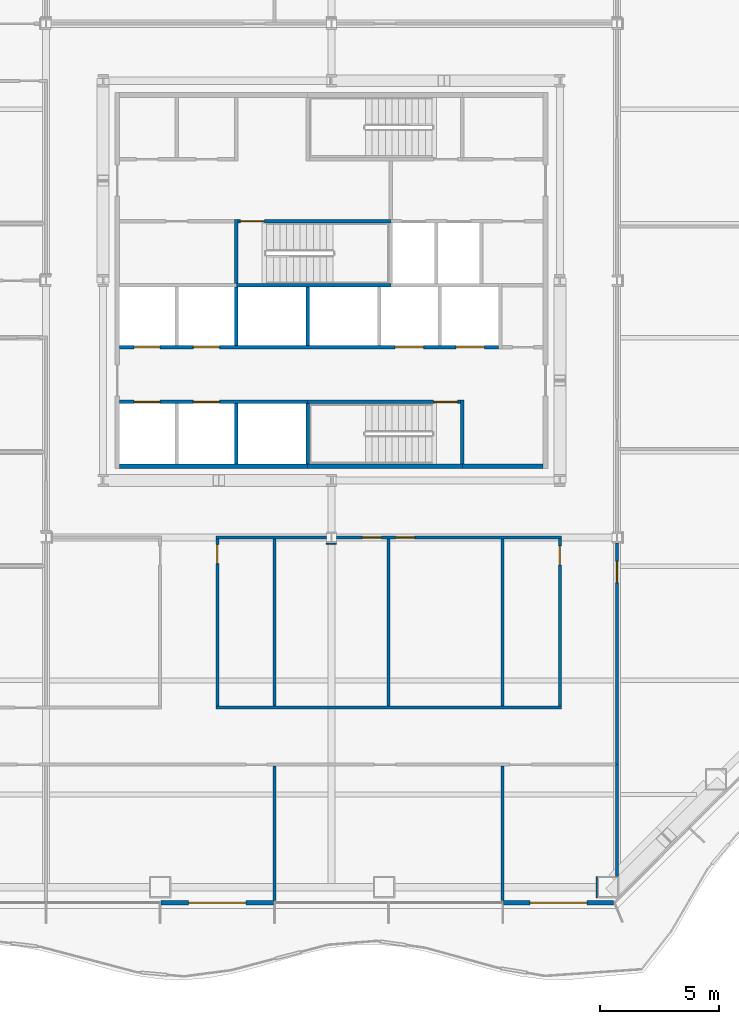
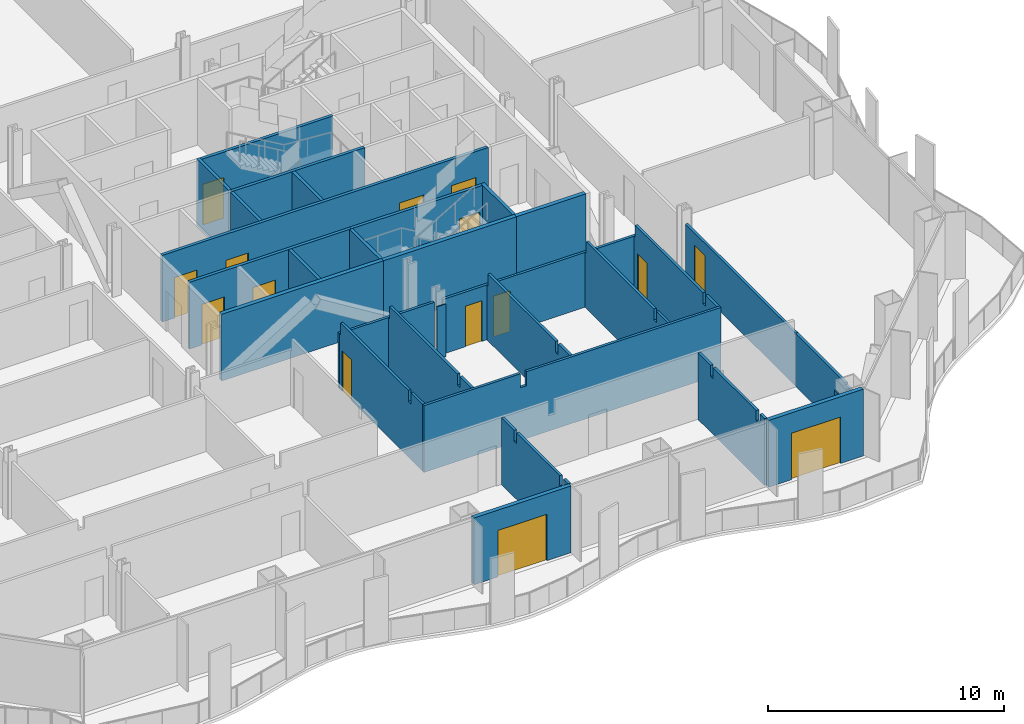
# One storey, part 8 of 18: 30 walls, 15 doors, 15 openings.
"""IFC4 building model written with IfcOpenShell, lengths in metres."""

from ifc_helpers import new_model, si_unit, direction, frame, frame_2d, origin, place, context, subcontext, project, spatial, polyline, rectangle, outline, extrude, material, layer, layer_set, type_object, element, fill, save


model = new_model("IFC4")

# Units and contexts
model_context = context("Model", 3, precision=1e-05, world=origin(), true_north=direction((0.0, 1.0)))
body_context = subcontext(model_context, "Body", "Model", "MODEL_VIEW")
ifc_project = project(units=[si_unit("LENGTHUNIT", "METRE"), si_unit("AREAUNIT", "SQUARE_METRE"), si_unit("VOLUMEUNIT", "CUBIC_METRE"), si_unit("PLANEANGLEUNIT", "RADIAN"), si_unit("MASSUNIT", "GRAM", prefix="KILO")], contexts=[model_context])

# Site, building, storey
site_placement = place(None, origin())
site = spatial("IfcSite", under=ifc_project, at=site_placement, CompositionType="ELEMENT")
building_placement = place(site_placement, origin())
building = spatial("IfcBuilding", under=site, at=building_placement, Name="Cairn Pilgrim Tower", CompositionType="ELEMENT")
storey_placement = place(building_placement, frame((0.0, 0.0, 72.60009765625)))
storey = spatial("IfcBuildingStorey", under=building, at=storey_placement, Name="L16", CompositionType="ELEMENT", Elevation=72.60009765625)

# Wall, opening, door
ifc_material_1 = material(Name="Bronze anodised aluminium insulated sandwich panel with mineral wool fill", Category="aluminium")
ifc_layer_1 = layer(ifc_material_1, 0.199951171875)
ifc_layer_set_1 = layer_set([ifc_layer_1], Name="BRONZE INFILL FRAME WALL 200")
wall_type_1 = type_object("IfcWallType", Name="BRONZE INFILL FRAME WALL 200", PredefinedType="NOTDEFINED", material=ifc_layer_set_1)
wall_1_placement = place(storey_placement, frame((0.030029296875, -23.75, 0.0), z_axis=(0.0, 0.0, 1.0), x_axis=(1.0, 0.0, 0.0)))
wall_1 = element("IfcWall", 1, at=wall_1_placement, inside=storey, type_object=wall_type_1, Name="Bronze infill frame wall IW-S5", PredefinedType="NOTDEFINED", context=body_context, shape_type="SweptSolid", body=[
    extrude(rectangle(XDim=4.739990234375, YDim=0.199951171875, at=frame_2d((2.3701171875, 0.0))), origin(), (0.0, 0.0, 1.0), 3.449951171875),
])
opening_1_placement = place(wall_1_placement, frame((1.169921875, 0.0, 0.0)))
opening_1 = element("IfcOpeningElement", 2, at=opening_1_placement, cuts=wall_1, Name="Opening 1603B", PredefinedType="OPENING", context=body_context, shape_type="SweptSolid", body=[
    extrude(rectangle(XDim=2.39990234375, YDim=2.39990234375, at=frame_2d((1.199951171875, 1.199951171875))), frame((0.0, 0.10986328125, 0.0), z_axis=(0.0, -1.0, 0.0), x_axis=(1.0, 0.0, 0.0)), (0.0, 0.0, 1.0), 0.219970703125),
])
ifc_material_2 = material(Name="Bronze anodised aluminium frame with tinted low-E glass", Category="aluminium")
door_type_1 = type_object("IfcDoorType", Name="BALCONY SLIDING DOOR 2400x2400", OperationType="DOUBLE_DOOR_SLIDING", PredefinedType="DOOR", material=ifc_material_2)
door_1_placement = place(opening_1_placement, origin())
door_1 = element("IfcDoor", 3, at=door_1_placement, inside=storey, type_object=door_type_1, Name="Balcony sliding door 1603B", OperationType="SINGLE_SWING_LEFT", OverallHeight=2.39990234375, OverallWidth=2.39990234375, PredefinedType="DOOR", context=body_context, shape_type="SweptSolid", body=[
    extrude(rectangle(XDim=2.39990234375, YDim=2.39990234375, at=frame_2d((1.199951171875, 1.199951171875))), frame((0.0, 0.02490234375, 0.0), z_axis=(0.0, -1.0, 0.0), x_axis=(1.0, 0.0, 0.0)), (0.0, 0.0, 1.0), 0.050048828125),
])
fill(opening_1, door_1)

wall_2_placement = place(storey_placement, frame((14.429931640625, -23.75, 0.0), z_axis=(0.0, 0.0, 1.0), x_axis=(1.0, 0.0, 0.0)))
wall_2 = element("IfcWall", 4, at=wall_2_placement, inside=storey, type_object=wall_type_1, Name="Bronze infill frame wall IW-S8", PredefinedType="NOTDEFINED", context=body_context, shape_type="SweptSolid", body=[
    extrude(rectangle(XDim=4.62646484375, YDim=0.199951171875, at=frame_2d((2.313232421875, 0.0))), origin(), (0.0, 0.0, 1.0), 3.449951171875),
])
opening_2_placement = place(wall_2_placement, frame((1.117919921875, 0.0, 0.0)))
opening_2 = element("IfcOpeningElement", 5, at=opening_2_placement, cuts=wall_2, Name="Opening 1605B", PredefinedType="OPENING", context=body_context, shape_type="SweptSolid", body=[
    extrude(rectangle(XDim=2.39990234375, YDim=2.39990234375, at=frame_2d((1.199951171875, 1.199951171875))), frame((0.0, 0.10986328125, 0.0), z_axis=(0.0, -1.0, 0.0), x_axis=(1.0, 0.0, 0.0)), (0.0, 0.0, 1.0), 0.219970703125),
])
door_2_placement = place(opening_2_placement, origin())
door_2 = element("IfcDoor", 6, at=door_2_placement, inside=storey, type_object=door_type_1, Name="Balcony sliding door 1605B", OperationType="SINGLE_SWING_LEFT", OverallHeight=2.39990234375, OverallWidth=2.39990234375, PredefinedType="DOOR", context=body_context, shape_type="SweptSolid", body=[
    extrude(rectangle(XDim=2.39990234375, YDim=2.39990234375, at=frame_2d((1.199951171875, 1.199951171875))), frame((0.0, 0.02490234375, 0.0), z_axis=(0.0, -1.0, 0.0), x_axis=(1.0, 0.0, 0.0)), (0.0, 0.0, 1.0), 0.050048828125),
])
fill(opening_2, door_2)

# Walls
ifc_material_3 = material(Name="Concrete C32/40", Category="concrete")
ifc_layer_2 = layer(ifc_material_3, 0.199951171875)
ifc_layer_set_2 = layer_set([ifc_layer_2], Name="CORE OUTER WALL 200 EI 120")
wall_type_2 = type_object("IfcWallType", Name="CORE OUTER WALL 200 EI 120", PredefinedType="SOLIDWALL", material=ifc_layer_set_2)
wall_3_placement = place(storey_placement, frame((-1.699951171875, -5.39990234375, 0.0), z_axis=(0.0, 0.0, 1.0), x_axis=(1.0, 0.0, 0.0)))
element("IfcWall", 7, at=wall_3_placement, inside=storey, type_object=wall_type_2, Name="CW:L16:H01-1", PredefinedType="SOLIDWALL", context=body_context, shape_type="SweptSolid", body=[
    extrude(rectangle(XDim=7.89990234375, YDim=0.199951171875, at=frame_2d((3.949951171875, 0.0))), origin(), (0.0, 0.0, 1.0), 3.449951171875),
])
wall_4_placement = place(storey_placement, frame((12.699951171875, -5.39990234375, 0.0), z_axis=(0.0, 0.0, 1.0), x_axis=(1.0, 0.0, 0.0)))
element("IfcWall", 8, at=wall_4_placement, inside=storey, type_object=wall_type_2, Name="CW:L16:H01-3", PredefinedType="SOLIDWALL", context=body_context, shape_type="SweptSolid", body=[
    extrude(rectangle(XDim=3.400146484375, YDim=0.199951171875, at=frame_2d((1.7001953125, 0.0))), origin(), (0.0, 0.0, 1.0), 3.449951171875),
])

# Wall, openings, doors
ifc_layer_3 = layer(ifc_material_3, 0.14990234375)
ifc_layer_set_3 = layer_set([ifc_layer_3], Name="CORE SHAFT WALL 150 EI 120")
wall_type_3 = type_object("IfcWallType", Name="CORE SHAFT WALL 150 EI 120", PredefinedType="SOLIDWALL", material=ifc_layer_set_3)
wall_5_placement = place(storey_placement, frame((-1.699951171875, -2.699951171875, 0.0), z_axis=(0.0, 0.0, 1.0), x_axis=(1.0, 0.0, 0.0)))
wall_5 = element("IfcWall", 9, at=wall_5_placement, inside=storey, type_object=wall_type_3, Name="CW:L16:H02-1", PredefinedType="SOLIDWALL", context=body_context, shape_type="SweptSolid", body=[
    extrude(rectangle(XDim=7.89990234375, YDim=0.14990234375, at=frame_2d((3.949951171875, 0.0))), origin(), (0.0, 0.0, 1.0), 3.449951171875),
])
opening_3_placement = place(wall_5_placement, frame((0.60009765625, 0.0, 0.0)))
opening_3 = element("IfcOpeningElement", 10, at=opening_3_placement, cuts=wall_5, Name="Opening LD-LR1", PredefinedType="OPENING", context=body_context, shape_type="SweptSolid", body=[
    extrude(rectangle(XDim=1.10009765625, YDim=2.10009765625, at=frame_2d((0.550048828125, 1.050048828125))), frame((0.0, 0.0849609375, 0.0), z_axis=(0.0, -1.0, 0.0), x_axis=(1.0, 0.0, 0.0)), (0.0, 0.0, 1.0), 0.169921875),
])
opening_4_placement = place(wall_5_placement, frame((3.10009765625, 0.0, 0.0)))
opening_4 = element("IfcOpeningElement", 11, at=opening_4_placement, cuts=wall_5, Name="Opening LD-LR2", PredefinedType="OPENING", context=body_context, shape_type="SweptSolid", body=[
    extrude(rectangle(XDim=1.10009765625, YDim=2.10009765625, at=frame_2d((0.550048828125, 1.050048828125))), frame((0.0, 0.0849609375, 0.0), z_axis=(0.0, -1.0, 0.0), x_axis=(1.0, 0.0, 0.0)), (0.0, 0.0, 1.0), 0.169921875),
])
ifc_material_4 = material(Name="Stainless steel", Category="steel")
door_type_2 = type_object("IfcDoorType", Name="LIFT LANDING DOOR 1100x2100", OperationType="DOUBLE_DOOR_SLIDING", PredefinedType="DOOR", material=ifc_material_4)
door_3_placement = place(opening_3_placement, origin())
door_3 = element("IfcDoor", 12, at=door_3_placement, inside=storey, type_object=door_type_2, Name="LANDING DOOR LR1", OperationType="DOUBLE_DOOR_SLIDING", OverallHeight=2.10009765625, OverallWidth=1.10009765625, PredefinedType="DOOR", context=body_context, shape_type="SweptSolid", body=[
    extrude(rectangle(XDim=1.10009765625, YDim=2.10009765625, at=frame_2d((0.550048828125, 1.050048828125))), frame((0.0, 0.02490234375, 0.0), z_axis=(0.0, -1.0, 0.0), x_axis=(1.0, 0.0, 0.0)), (0.0, 0.0, 1.0), 0.050048828125),
])
fill(opening_3, door_3)
door_4_placement = place(opening_4_placement, origin())
door_4 = element("IfcDoor", 13, at=door_4_placement, inside=storey, type_object=door_type_2, Name="LANDING DOOR LR2", OperationType="DOUBLE_DOOR_SLIDING", OverallHeight=2.10009765625, OverallWidth=1.10009765625, PredefinedType="DOOR", context=body_context, shape_type="SweptSolid", body=[
    extrude(rectangle(XDim=1.10009765625, YDim=2.10009765625, at=frame_2d((0.550048828125, 1.050048828125))), frame((0.0, 0.02490234375, 0.0), z_axis=(0.0, -1.0, 0.0), x_axis=(1.0, 0.0, 0.0)), (0.0, 0.0, 1.0), 0.050048828125),
])
fill(opening_4, door_4)

wall_6_placement = place(storey_placement, frame((-1.699951171875, -0.39990234375, 0.0), z_axis=(0.0, 0.0, 1.0), x_axis=(1.0, 0.0, 0.0)))
wall_6 = element("IfcWall", 14, at=wall_6_placement, inside=storey, type_object=wall_type_3, Name="CW:L16:H03", PredefinedType="SOLIDWALL", context=body_context, shape_type="SweptSolid", body=[
    extrude(rectangle(XDim=15.925048828125, YDim=0.14990234375, at=frame_2d((7.96240234375, 0.0))), origin(), (0.0, 0.0, 1.0), 3.449951171875),
])
opening_5_placement = place(wall_6_placement, frame((0.60009765625, 0.0, 0.0)))
opening_5 = element("IfcOpeningElement", 15, at=opening_5_placement, cuts=wall_6, Name="Opening LD-LR3", PredefinedType="OPENING", context=body_context, shape_type="SweptSolid", body=[
    extrude(rectangle(XDim=1.10009765625, YDim=2.10009765625, at=frame_2d((0.550048828125, 1.050048828125))), frame((0.0, 0.0849609375, 0.0), z_axis=(0.0, -1.0, 0.0), x_axis=(1.0, 0.0, 0.0)), (0.0, 0.0, 1.0), 0.169921875),
])
opening_6_placement = place(wall_6_placement, frame((3.10009765625, 0.0, 0.0)))
opening_6 = element("IfcOpeningElement", 16, at=opening_6_placement, cuts=wall_6, Name="Opening LD-LR4", PredefinedType="OPENING", context=body_context, shape_type="SweptSolid", body=[
    extrude(rectangle(XDim=1.10009765625, YDim=2.10009765625, at=frame_2d((0.550048828125, 1.050048828125))), frame((0.0, 0.0849609375, 0.0), z_axis=(0.0, -1.0, 0.0), x_axis=(1.0, 0.0, 0.0)), (0.0, 0.0, 1.0), 0.169921875),
])
opening_7_placement = place(wall_6_placement, frame((11.574951171875, 0.0, 0.0)))
opening_7 = element("IfcOpeningElement", 17, at=opening_7_placement, cuts=wall_6, Name="Opening LD-SV1", PredefinedType="OPENING", context=body_context, shape_type="SweptSolid", body=[
    extrude(rectangle(XDim=1.199951171875, YDim=2.10009765625, at=frame_2d((0.60009765625, 1.050048828125))), frame((0.0, 0.0849609375, 0.0), z_axis=(0.0, -1.0, 0.0), x_axis=(1.0, 0.0, 0.0)), (0.0, 0.0, 1.0), 0.169921875),
])
opening_8_placement = place(wall_6_placement, frame((14.125, 0.0, 0.0)))
opening_8 = element("IfcOpeningElement", 18, at=opening_8_placement, cuts=wall_6, Name="Opening LD-SV2", PredefinedType="OPENING", context=body_context, shape_type="SweptSolid", body=[
    extrude(rectangle(XDim=1.199951171875, YDim=2.10009765625, at=frame_2d((0.60009765625, 1.050048828125))), frame((0.0, 0.0849609375, 0.0), z_axis=(0.0, -1.0, 0.0), x_axis=(1.0, 0.0, 0.0)), (0.0, 0.0, 1.0), 0.169921875),
])
door_5_placement = place(opening_5_placement, origin())
door_5 = element("IfcDoor", 19, at=door_5_placement, inside=storey, type_object=door_type_2, Name="LANDING DOOR LR3", OperationType="DOUBLE_DOOR_SLIDING", OverallHeight=2.10009765625, OverallWidth=1.10009765625, PredefinedType="DOOR", context=body_context, shape_type="SweptSolid", body=[
    extrude(rectangle(XDim=1.10009765625, YDim=2.10009765625, at=frame_2d((0.550048828125, 1.050048828125))), frame((0.0, 0.02490234375, 0.0), z_axis=(0.0, -1.0, 0.0), x_axis=(1.0, 0.0, 0.0)), (0.0, 0.0, 1.0), 0.050048828125),
])
fill(opening_5, door_5)
door_6_placement = place(opening_6_placement, origin())
door_6 = element("IfcDoor", 20, at=door_6_placement, inside=storey, type_object=door_type_2, Name="LANDING DOOR LR4", OperationType="DOUBLE_DOOR_SLIDING", OverallHeight=2.10009765625, OverallWidth=1.10009765625, PredefinedType="DOOR", context=body_context, shape_type="SweptSolid", body=[
    extrude(rectangle(XDim=1.10009765625, YDim=2.10009765625, at=frame_2d((0.550048828125, 1.050048828125))), frame((0.0, 0.02490234375, 0.0), z_axis=(0.0, -1.0, 0.0), x_axis=(1.0, 0.0, 0.0)), (0.0, 0.0, 1.0), 0.050048828125),
])
fill(opening_6, door_6)
door_type_3 = type_object("IfcDoorType", Name="LIFT LANDING DOOR 1200x2100", OperationType="DOUBLE_DOOR_SLIDING", PredefinedType="DOOR", material=ifc_material_4)
door_7_placement = place(opening_7_placement, origin())
door_7 = element("IfcDoor", 21, at=door_7_placement, inside=storey, type_object=door_type_3, Name="LANDING DOOR SV1", OperationType="DOUBLE_DOOR_SLIDING", OverallHeight=2.10009765625, OverallWidth=1.199951171875, PredefinedType="DOOR", context=body_context, shape_type="SweptSolid", body=[
    extrude(rectangle(XDim=1.199951171875, YDim=2.10009765625, at=frame_2d((0.60009765625, 1.050048828125))), frame((0.0, 0.02490234375, 0.0), z_axis=(0.0, -1.0, 0.0), x_axis=(1.0, 0.0, 0.0)), (0.0, 0.0, 1.0), 0.050048828125),
])
fill(opening_7, door_7)
door_8_placement = place(opening_8_placement, origin())
door_8 = element("IfcDoor", 22, at=door_8_placement, inside=storey, type_object=door_type_3, Name="LANDING DOOR SV2", OperationType="DOUBLE_DOOR_SLIDING", OverallHeight=2.10009765625, OverallWidth=1.199951171875, PredefinedType="DOOR", context=body_context, shape_type="SweptSolid", body=[
    extrude(rectangle(XDim=1.199951171875, YDim=2.10009765625, at=frame_2d((0.60009765625, 1.050048828125))), frame((0.0, 0.02490234375, 0.0), z_axis=(0.0, -1.0, 0.0), x_axis=(1.0, 0.0, 0.0)), (0.0, 0.0, 1.0), 0.050048828125),
])
fill(opening_8, door_8)

# Walls
wall_7_placement = place(storey_placement, frame((3.199951171875, -5.300048828125, 0.0), z_axis=(0.0, 0.0, 1.0), x_axis=(0.0, 1.0, 0.0)))
element("IfcWall", 23, at=wall_7_placement, inside=storey, type_object=wall_type_3, Name="CW:L16:V16", PredefinedType="SOLIDWALL", context=body_context, shape_type="SweptSolid", body=[
    extrude(rectangle(XDim=2.525146484375, YDim=0.14990234375, at=frame_2d((1.2626953125, 0.0))), origin(), (0.0, 0.0, 1.0), 3.449951171875),
])
for number, where, z_axis, x_axis, name in (
    (24, (3.199951171875, -0.324951171875, 0.0), (0.0, 0.0, 1.0), (0.0, 1.0, 0.0), "CW:L16:V17"),
    (25, (6.199951171875, -0.324951171875, 0.0), (0.0, 0.0, 1.0), (0.0, 1.0, 0.0), "CW:L16:V21"),
):
    element("IfcWall", number, at=place(storey_placement, frame(where, z_axis=z_axis, x_axis=x_axis)), inside=storey, type_object=wall_type_3, Name=name, PredefinedType="SOLIDWALL", context=body_context, shape_type="SweptSolid", body=[
        extrude(rectangle(XDim=2.449951171875, YDim=0.14990234375, at=frame_2d((1.22509765625, 0.0))), origin(), (0.0, 0.0, 1.0), 3.449951171875),
    ])
ifc_material_5 = material(Name="Gypsum partition")
ifc_layer_4 = layer(ifc_material_5, 0.125)
ifc_layer_set_4 = layer_set([ifc_layer_4], Name="PARTITION 125 DRYWALL EI 60")
wall_type_4 = type_object("IfcWallType", Name="PARTITION 125 DRYWALL EI 60", PredefinedType="PARTITIONING", material=ifc_layer_set_4)
for number, where, z_axis, x_axis, name in (
    (26, (4.800048828125, -23.64990234375, 0.0), (0.0, 0.0, 1.0), (0.0, 1.0, 0.0), "PARTITION W003"),
    (27, (14.39990234375, -23.64990234375, 0.0), (0.0, 0.0, 1.0), (0.0, 1.0, 0.0), "PARTITION W004"),
):
    element("IfcWall", number, at=place(storey_placement, frame(where, z_axis=z_axis, x_axis=x_axis)), inside=storey, type_object=wall_type_4, Name=name, PredefinedType="PARTITIONING", context=body_context, shape_type="SweptSolid", body=[
        extrude(outline(polyline([(0.0, 0.0), (5.637451171875, 0.0), (5.637451171875, 3.449951171875), (4.554931640625, 3.449951171875), (4.552978515625, 2.8798828125), (4.344970703125, 2.8798828125), (4.343017578125, 3.449951171875), (0.699951171875, 3.449951171875), (0.697998046875, 2.929931640625), (0.39990234375, 2.929931640625), (0.39794921875, 3.449951171875), (0.0, 3.449951171875), (0.0, 0.0)])), frame((0.0, 0.0625, 0.0), z_axis=(0.0, -1.0, 0.0), x_axis=(1.0, 0.0, 0.0)), (0.0, 0.0, 1.0), 0.125),
    ])
wall_8_placement = place(storey_placement, frame((19.199951171875, -22.64990234375, 0.0), z_axis=(0.0, 0.0, 1.0), x_axis=(0.0, 1.0, 0.0)))
element("IfcWall", 28, at=wall_8_placement, inside=storey, type_object=wall_type_4, Name="PARTITION W005", PredefinedType="PARTITIONING", context=body_context, shape_type="SweptSolid", body=[
    extrude(outline(polyline([(0.0, 0.0), (4.699951171875, 0.0), (4.699951171875, 2.72998046875), (0.480224609375, 2.72998046875), (0.478271484375, 2.6298828125), (0.0, 2.6298828125), (0.0, 0.0)])), frame((0.0, 0.0625, 0.0), z_axis=(0.0, -1.0, 0.0), x_axis=(1.0, 0.0, 0.0)), (0.0, 0.0, 1.0), 0.125),
])

# Wall, opening, door
wall_9_placement = place(storey_placement, frame((19.199951171875, -17.949951171875, 0.0), z_axis=(0.0, 0.0, 1.0), x_axis=(0.0, 1.0, 0.0)))
wall_9 = element("IfcWall", 29, at=wall_9_placement, inside=storey, type_object=wall_type_4, Name="PARTITION W010", PredefinedType="PARTITIONING", context=body_context, shape_type="SweptSolid", body=[
    extrude(rectangle(XDim=9.31298828125, YDim=0.125, at=frame_2d((4.656494140625, 0.0))), origin(), (0.0, 0.0, 1.0), 2.72998046875),
])
opening_9_placement = place(wall_9_placement, frame((7.64990234375, 0.0, 0.0)))
opening_9 = element("IfcOpeningElement", 30, at=opening_9_placement, cuts=wall_9, Name="Opening 1614", PredefinedType="OPENING", context=body_context, shape_type="SweptSolid", body=[
    extrude(rectangle(XDim=0.89990234375, YDim=2.10009765625, at=frame_2d((0.449951171875, 1.050048828125))), frame((0.0, 0.072509765625, 0.0), z_axis=(0.0, -1.0, 0.0), x_axis=(1.0, 0.0, 0.0)), (0.0, 0.0, 1.0), 0.14501953125),
])
ifc_material_6 = material(Name="Steel-faced fire door leaf", Category="steel")
door_type_4 = type_object("IfcDoorType", Name="FIRE DOOR 900x2100 FD30S", OperationType="NOTDEFINED", PredefinedType="DOOR", material=ifc_material_6)
door_9_placement = place(opening_9_placement, frame((0.89990234375, 0.0, 0.0), z_axis=(0.0, 0.0, 1.0), x_axis=(-1.0, 0.0, 0.0)))
door_9 = element("IfcDoor", 31, at=door_9_placement, inside=storey, type_object=door_type_4, Name="DOOR 1614", OperationType="SINGLE_SWING_LEFT", OverallHeight=2.10009765625, OverallWidth=0.89990234375, PredefinedType="DOOR", context=body_context, shape_type="SweptSolid", body=[
    extrude(rectangle(XDim=0.89990234375, YDim=2.10009765625, at=frame_2d((0.449951171875, 1.050048828125))), frame((0.0, 0.02490234375, 0.0), z_axis=(0.0, -1.0, 0.0), x_axis=(1.0, 0.0, 0.0)), (0.0, 0.0, 1.0), 0.050048828125),
])
fill(opening_9, door_9)

# Wall
wall_10_placement = place(storey_placement, frame((2.33740234375, -15.550048828125, 0.0), z_axis=(0.0, 0.0, 1.0), x_axis=(1.0, 0.0, 0.0)))
element("IfcWall", 32, at=wall_10_placement, inside=storey, type_object=wall_type_4, Name="PARTITION W012", PredefinedType="PARTITIONING", context=body_context, shape_type="SweptSolid", body=[
    extrude(outline(polyline([(0.0, 0.0), (14.525146484375, 0.0), (14.52490234375, 3.449951171875), (5.012451171875, 3.449951171875), (5.010498046875, 2.72998046875), (4.71240234375, 2.72998046875), (4.71044921875, 3.449951171875), (0.0, 3.449951171875), (0.0, 0.0)])), frame((0.0, 0.0625, 0.0), z_axis=(0.0, -1.0, 0.0), x_axis=(1.0, 0.0, 0.0)), (0.0, 0.0, 1.0), 0.125),
])

# Wall, opening, door
wall_11_placement = place(storey_placement, frame((2.39990234375, -15.487548828125, 0.0), z_axis=(0.0, 0.0, 1.0), x_axis=(0.0, 1.0, 0.0)))
wall_11 = element("IfcWall", 33, at=wall_11_placement, inside=storey, type_object=wall_type_4, Name="PARTITION W017", PredefinedType="PARTITIONING", context=body_context, shape_type="SweptSolid", body=[
    extrude(outline(polyline([(0.0, 0.0), (7.025146484375, 0.0), (7.02490234375, 2.829833984375), (6.9375, 2.829833984375), (6.935546875, 3.449951171875), (1.1923828125, 3.449951171875), (1.1904296875, 2.8798828125), (0.982421875, 2.8798828125), (0.98046875, 3.449951171875), (0.0, 3.449951171875), (0.0, 0.0)])), frame((0.0, 0.0625, 0.0), z_axis=(0.0, -1.0, 0.0), x_axis=(1.0, 0.0, 0.0)), (0.0, 0.0, 1.0), 0.125),
])
opening_10_placement = place(wall_11_placement, frame((5.987548828125, 0.0, 0.0)))
opening_10 = element("IfcOpeningElement", 34, at=opening_10_placement, cuts=wall_11, Name="Opening 1625", PredefinedType="OPENING", context=body_context, shape_type="SweptSolid", body=[
    extrude(rectangle(XDim=0.800048828125, YDim=2.10009765625, at=frame_2d((0.39990234375, 1.050048828125))), frame((0.0, 0.072509765625, 0.0), z_axis=(0.0, -1.0, 0.0), x_axis=(1.0, 0.0, 0.0)), (0.0, 0.0, 1.0), 0.14501953125),
])
door_type_5 = type_object("IfcDoorType", Name="FIRE DOOR 800x2100 FD30S", OperationType="NOTDEFINED", PredefinedType="DOOR", material=ifc_material_6)
door_10_placement = place(opening_10_placement, frame((0.800048828125, 0.0, 0.0), z_axis=(0.0, 0.0, 1.0), x_axis=(-1.0, 0.0, 0.0)))
door_10 = element("IfcDoor", 35, at=door_10_placement, inside=storey, type_object=door_type_5, Name="DOOR 1625", OperationType="SINGLE_SWING_RIGHT", OverallHeight=2.10009765625, OverallWidth=0.800048828125, PredefinedType="DOOR", context=body_context, shape_type="SweptSolid", body=[
    extrude(rectangle(XDim=0.800048828125, YDim=2.10009765625, at=frame_2d((0.39990234375, 1.050048828125))), frame((0.0, 0.02490234375, 0.0), z_axis=(0.0, -1.0, 0.0), x_axis=(1.0, 0.0, 0.0)), (0.0, 0.0, 1.0), 0.050048828125),
])
fill(opening_10, door_10)

# Walls
for number, where, z_axis, x_axis, name in (
    (36, (4.800048828125, -15.487548828125, 0.0), (0.0, 0.0, 1.0), (0.0, 1.0, 0.0), "PARTITION W018"),
    (37, (9.60009765625, -15.487548828125, 0.0), (0.0, 0.0, 1.0), (0.0, 1.0, 0.0), "PARTITION W019"),
    (38, (14.39990234375, -15.487548828125, 0.0), (0.0, 0.0, 1.0), (0.0, 1.0, 0.0), "PARTITION W020"),
):
    element("IfcWall", number, at=place(storey_placement, frame(where, z_axis=z_axis, x_axis=x_axis)), inside=storey, type_object=wall_type_4, Name=name, PredefinedType="PARTITIONING", context=body_context, shape_type="SweptSolid", body=[
        extrude(outline(polyline([(0.0, 0.0), (7.025146484375, 0.0), (7.02490234375, 2.829833984375), (6.9375, 2.829833984375), (6.935546875, 3.449951171875), (1.1923828125, 3.449951171875), (1.1904296875, 2.8798828125), (0.982421875, 2.8798828125), (0.98046875, 3.449951171875), (0.0, 3.449951171875), (0.0, 0.0)])), frame((0.0, 0.0625, 0.0), z_axis=(0.0, -1.0, 0.0), x_axis=(1.0, 0.0, 0.0)), (0.0, 0.0, 1.0), 0.125),
    ])

# Wall, opening, door
wall_12_placement = place(storey_placement, frame((16.800048828125, -15.487548828125, 0.0), z_axis=(0.0, 0.0, 1.0), x_axis=(0.0, 1.0, 0.0)))
wall_12 = element("IfcWall", 39, at=wall_12_placement, inside=storey, type_object=wall_type_4, Name="PARTITION W021", PredefinedType="PARTITIONING", context=body_context, shape_type="SweptSolid", body=[
    extrude(outline(polyline([(0.0, 0.0), (7.025146484375, 0.0), (7.02490234375, 2.829833984375), (6.9375, 2.829833984375), (6.935546875, 3.449951171875), (1.1923828125, 3.449951171875), (1.1904296875, 2.8798828125), (0.982421875, 2.8798828125), (0.98046875, 3.449951171875), (0.0, 3.449951171875), (0.0, 0.0)])), frame((0.0, 0.0625, 0.0), z_axis=(0.0, -1.0, 0.0), x_axis=(1.0, 0.0, 0.0)), (0.0, 0.0, 1.0), 0.125),
])
opening_11_placement = place(wall_12_placement, frame((5.9375, 0.0, 0.0)))
opening_11 = element("IfcOpeningElement", 40, at=opening_11_placement, cuts=wall_12, Name="Opening 1628", PredefinedType="OPENING", context=body_context, shape_type="SweptSolid", body=[
    extrude(rectangle(XDim=0.800048828125, YDim=2.10009765625, at=frame_2d((0.39990234375, 1.050048828125))), frame((0.0, 0.072509765625, 0.0), z_axis=(0.0, -1.0, 0.0), x_axis=(1.0, 0.0, 0.0)), (0.0, 0.0, 1.0), 0.14501953125),
])
door_11_placement = place(opening_11_placement, origin())
door_11 = element("IfcDoor", 41, at=door_11_placement, inside=storey, type_object=door_type_5, Name="DOOR 1628", OperationType="SINGLE_SWING_LEFT", OverallHeight=2.10009765625, OverallWidth=0.800048828125, PredefinedType="DOOR", context=body_context, shape_type="SweptSolid", body=[
    extrude(rectangle(XDim=0.800048828125, YDim=2.10009765625, at=frame_2d((0.39990234375, 1.050048828125))), frame((0.0, 0.02490234375, 0.0), z_axis=(0.0, -1.0, 0.0), x_axis=(1.0, 0.0, 0.0)), (0.0, 0.0, 1.0), 0.050048828125),
])
fill(opening_11, door_11)

# Wall
wall_13_placement = place(storey_placement, frame((2.33740234375, -8.39990234375, 0.0), z_axis=(0.0, 0.0, 1.0), x_axis=(1.0, 0.0, 0.0)))
element("IfcWall", 42, at=wall_13_placement, inside=storey, type_object=wall_type_4, Name="PARTITION W028", PredefinedType="PARTITIONING", context=body_context, shape_type="SweptSolid", body=[
    extrude(rectangle(XDim=4.650634765625, YDim=0.125, at=frame_2d((2.3251953125, 0.0))), origin(), (0.0, 0.0, 1.0), 2.829833984375),
])

# Wall, openings, doors
wall_14_placement = place(storey_placement, frame((7.412109375, -8.39990234375, 0.0), z_axis=(0.0, 0.0, 1.0), x_axis=(1.0, 0.0, 0.0)))
wall_14 = element("IfcWall", 43, at=wall_14_placement, inside=storey, type_object=wall_type_4, Name="PARTITION W029", PredefinedType="PARTITIONING", context=body_context, shape_type="SweptSolid", body=[
    extrude(rectangle(XDim=9.450439453125, YDim=0.125, at=frame_2d((4.72509765625, 0.0))), origin(), (0.0, 0.0, 1.0), 2.829833984375),
])
opening_12_placement = place(wall_14_placement, frame((1.087890625, 0.0, 0.0)))
opening_12 = element("IfcOpeningElement", 44, at=opening_12_placement, cuts=wall_14, Name="Opening 1626", PredefinedType="OPENING", context=body_context, shape_type="SweptSolid", body=[
    extrude(rectangle(XDim=0.800048828125, YDim=2.10009765625, at=frame_2d((0.39990234375, 1.050048828125))), frame((0.0, 0.072509765625, 0.0), z_axis=(0.0, -1.0, 0.0), x_axis=(1.0, 0.0, 0.0)), (0.0, 0.0, 1.0), 0.14501953125),
])
opening_13_placement = place(wall_14_placement, frame((2.488037109375, 0.0, 0.0)))
opening_13 = element("IfcOpeningElement", 45, at=opening_13_placement, cuts=wall_14, Name="Opening 1627", PredefinedType="OPENING", context=body_context, shape_type="SweptSolid", body=[
    extrude(rectangle(XDim=0.800048828125, YDim=2.10009765625, at=frame_2d((0.39990234375, 1.050048828125))), frame((0.0, 0.072509765625, 0.0), z_axis=(0.0, -1.0, 0.0), x_axis=(1.0, 0.0, 0.0)), (0.0, 0.0, 1.0), 0.14501953125),
])
door_12_placement = place(opening_12_placement, frame((0.800048828125, 0.0, 0.0), z_axis=(0.0, 0.0, 1.0), x_axis=(-1.0, 0.0, 0.0)))
door_12 = element("IfcDoor", 46, at=door_12_placement, inside=storey, type_object=door_type_5, Name="DOOR 1626", OperationType="SINGLE_SWING_LEFT", OverallHeight=2.10009765625, OverallWidth=0.800048828125, PredefinedType="DOOR", context=body_context, shape_type="SweptSolid", body=[
    extrude(rectangle(XDim=0.800048828125, YDim=2.10009765625, at=frame_2d((0.39990234375, 1.050048828125))), frame((0.0, 0.02490234375, 0.0), z_axis=(0.0, -1.0, 0.0), x_axis=(1.0, 0.0, 0.0)), (0.0, 0.0, 1.0), 0.050048828125),
])
fill(opening_12, door_12)
door_13_placement = place(opening_13_placement, frame((0.800048828125, 0.0, 0.0), z_axis=(0.0, 0.0, 1.0), x_axis=(-1.0, 0.0, 0.0)))
door_13 = element("IfcDoor", 47, at=door_13_placement, inside=storey, type_object=door_type_5, Name="DOOR 1627", OperationType="SINGLE_SWING_RIGHT", OverallHeight=2.10009765625, OverallWidth=0.800048828125, PredefinedType="DOOR", context=body_context, shape_type="SweptSolid", body=[
    extrude(rectangle(XDim=0.800048828125, YDim=2.10009765625, at=frame_2d((0.39990234375, 1.050048828125))), frame((0.0, 0.02490234375, 0.0), z_axis=(0.0, -1.0, 0.0), x_axis=(1.0, 0.0, 0.0)), (0.0, 0.0, 1.0), 0.050048828125),
])
fill(opening_13, door_13)

# Walls
ifc_layer_5 = layer(ifc_material_5, 0.050048828125)
ifc_layer_set_5 = layer_set([ifc_layer_5], Name="PARTITION 50 DRYWALL EI 60")
wall_type_5 = type_object("IfcWallType", Name="PARTITION 50 DRYWALL EI 60", PredefinedType="PARTITIONING", material=ifc_layer_set_5)
wall_15_placement = place(storey_placement, frame((18.352294921875, -23.550048828125, 0.0), z_axis=(0.0, 0.0, 1.0), x_axis=(0.0, 1.0, 0.0)))
element("IfcWall", 48, at=wall_15_placement, inside=storey, type_object=wall_type_5, Name="COLUMN CASING WC02", PredefinedType="PARTITIONING", context=body_context, shape_type="SweptSolid", body=[
    extrude(rectangle(XDim=0.900146484375, YDim=0.050048828125, at=frame_2d((0.4501953125, 0.0))), origin(), (0.0, 0.0, 1.0), 2.929931640625),
])
wall_16_placement = place(storey_placement, frame((6.988037109375, -8.662109375, 0.0), z_axis=(0.0, 0.0, 1.0), x_axis=(1.0, 0.0, 0.0)))
element("IfcWall", 49, at=wall_16_placement, inside=storey, type_object=wall_type_5, Name="COLUMN CASING WC11", PredefinedType="PARTITIONING", context=body_context, shape_type="SweptSolid", body=[
    extrude(rectangle(XDim=0.424072265625, YDim=0.050048828125, at=frame_2d((0.2119140625, 0.0))), origin(), (0.0, 0.0, 1.0), 2.72998046875),
])

# Wall, opening, door
ifc_material_7 = material(Name="Concrete C35/45", Category="concrete")
ifc_layer_6 = layer(ifc_material_7, 0.14990234375)
ifc_layer_set_6 = layer_set([ifc_layer_6], Name="STAIR SHAFT WALL 150 EI 120")
wall_type_6 = type_object("IfcWallType", Name="STAIR SHAFT WALL 150 EI 120", PredefinedType="SOLIDWALL", material=ifc_layer_set_6)
wall_17_placement = place(storey_placement, frame((6.199951171875, -2.699951171875, 0.0), z_axis=(0.0, 0.0, 1.0), x_axis=(1.0, 0.0, 0.0)))
wall_17 = element("IfcWall", 50, at=wall_17_placement, inside=storey, type_object=wall_type_6, Name="CW:L16:H02-2", PredefinedType="SOLIDWALL", context=body_context, shape_type="SweptSolid", body=[
    extrude(rectangle(XDim=6.425048828125, YDim=0.14990234375, at=frame_2d((3.21240234375, 0.0))), origin(), (0.0, 0.0, 1.0), 3.449951171875),
])
opening_14_placement = place(wall_17_placement, frame((5.300048828125, 0.0, 0.0)))
opening_14 = element("IfcOpeningElement", 51, at=opening_14_placement, cuts=wall_17, Name="Opening SD-A", PredefinedType="OPENING", context=body_context, shape_type="SweptSolid", body=[
    extrude(rectangle(XDim=1.0, YDim=2.10009765625, at=frame_2d((0.5, 1.050048828125))), frame((0.0, 0.0849609375, 0.0), z_axis=(0.0, -1.0, 0.0), x_axis=(1.0, 0.0, 0.0)), (0.0, 0.0, 1.0), 0.169921875),
])
ifc_material_8 = material(Name="Painted steel", Category="steel")
door_type_6 = type_object("IfcDoorType", Name="STAIR DOOR FD60S 1000x2100", OperationType="SINGLE_SWING_LEFT", PredefinedType="DOOR", material=ifc_material_8)
door_14_placement = place(opening_14_placement, origin())
door_14 = element("IfcDoor", 52, at=door_14_placement, inside=storey, type_object=door_type_6, Name="SD-A", OperationType="SINGLE_SWING_LEFT", OverallHeight=2.10009765625, OverallWidth=1.0, PredefinedType="DOOR", context=body_context, shape_type="SweptSolid", body=[
    extrude(rectangle(XDim=1.0, YDim=2.10009765625, at=frame_2d((0.5, 1.050048828125))), frame((0.0, 0.02490234375, 0.0), z_axis=(0.0, -1.0, 0.0), x_axis=(1.0, 0.0, 0.0)), (0.0, 0.0, 1.0), 0.050048828125),
])
fill(opening_14, door_14)

# Wall
wall_18_placement = place(storey_placement, frame((3.199951171875, 2.199951171875, 0.0), z_axis=(0.0, 0.0, 1.0), x_axis=(1.0, 0.0, 0.0)))
element("IfcWall", 53, at=wall_18_placement, inside=storey, type_object=wall_type_6, Name="CW:L16:H05-2", PredefinedType="SOLIDWALL", context=body_context, shape_type="SweptSolid", body=[
    extrude(rectangle(XDim=6.5, YDim=0.14990234375, at=frame_2d((3.25, 0.0))), origin(), (0.0, 0.0, 1.0), 3.449951171875),
])

# Wall, opening, door
wall_19_placement = place(storey_placement, frame((3.27490234375, 4.89990234375, 0.0), z_axis=(0.0, 0.0, 1.0), x_axis=(1.0, 0.0, 0.0)))
wall_19 = element("IfcWall", 54, at=wall_19_placement, inside=storey, type_object=wall_type_6, Name="CW:L16:H08-1", PredefinedType="SOLIDWALL", context=body_context, shape_type="SweptSolid", body=[
    extrude(rectangle(XDim=6.425048828125, YDim=0.14990234375, at=frame_2d((3.21240234375, 0.0))), origin(), (0.0, 0.0, 1.0), 3.449951171875),
])
opening_15_placement = place(wall_19_placement, frame((0.10009765625, 0.0, 0.0)))
opening_15 = element("IfcOpeningElement", 55, at=opening_15_placement, cuts=wall_19, Name="Opening SD-B", PredefinedType="OPENING", context=body_context, shape_type="SweptSolid", body=[
    extrude(rectangle(XDim=1.0, YDim=2.10009765625, at=frame_2d((0.5, 1.050048828125))), frame((0.0, 0.0849609375, 0.0), z_axis=(0.0, -1.0, 0.0), x_axis=(1.0, 0.0, 0.0)), (0.0, 0.0, 1.0), 0.169921875),
])
door_15_placement = place(opening_15_placement, origin())
door_15 = element("IfcDoor", 56, at=door_15_placement, inside=storey, type_object=door_type_6, Name="SD-B", OperationType="SINGLE_SWING_RIGHT", OverallHeight=2.10009765625, OverallWidth=1.0, PredefinedType="DOOR", context=body_context, shape_type="SweptSolid", body=[
    extrude(rectangle(XDim=1.0, YDim=2.10009765625, at=frame_2d((0.5, 1.050048828125))), frame((0.0, 0.02490234375, 0.0), z_axis=(0.0, -1.0, 0.0), x_axis=(1.0, 0.0, 0.0)), (0.0, 0.0, 1.0), 0.050048828125),
])
fill(opening_15, door_15)

# Walls
wall_20_placement = place(storey_placement, frame((3.199951171875, 2.27490234375, 0.0), z_axis=(0.0, 0.0, 1.0), x_axis=(0.0, 1.0, 0.0)))
element("IfcWall", 57, at=wall_20_placement, inside=storey, type_object=wall_type_6, Name="CW:L16:V18", PredefinedType="SOLIDWALL", context=body_context, shape_type="SweptSolid", body=[
    extrude(rectangle(XDim=2.7001953125, YDim=0.14990234375, at=frame_2d((1.35009765625, 0.0))), origin(), (0.0, 0.0, 1.0), 3.449951171875),
])
wall_21_placement = place(storey_placement, frame((6.199951171875, -5.300048828125, 0.0), z_axis=(0.0, 0.0, 1.0), x_axis=(0.0, 1.0, 0.0)))
element("IfcWall", 58, at=wall_21_placement, inside=storey, type_object=wall_type_6, Name="CW:L16:V20", PredefinedType="SOLIDWALL", context=body_context, shape_type="SweptSolid", body=[
    extrude(rectangle(XDim=2.525146484375, YDim=0.14990234375, at=frame_2d((1.2626953125, 0.0))), origin(), (0.0, 0.0, 1.0), 3.449951171875),
])
wall_22_placement = place(storey_placement, frame((12.699951171875, -5.300048828125, 0.0), z_axis=(0.0, 0.0, 1.0), x_axis=(0.0, 1.0, 0.0)))
element("IfcWall", 59, at=wall_22_placement, inside=storey, type_object=wall_type_6, Name="CW:L16:V28", PredefinedType="SOLIDWALL", context=body_context, shape_type="SweptSolid", body=[
    extrude(rectangle(XDim=2.675048828125, YDim=0.14990234375, at=frame_2d((1.33740234375, 0.0))), origin(), (0.0, 0.0, 1.0), 3.449951171875),
])
ifc_layer_7 = layer(ifc_material_7, 0.199951171875)
ifc_layer_set_7 = layer_set([ifc_layer_7], Name="STAIR SHAFT WALL 200 EI 120")
wall_type_7 = type_object("IfcWallType", Name="STAIR SHAFT WALL 200 EI 120", PredefinedType="SOLIDWALL", material=ifc_layer_set_7)
wall_23_placement = place(storey_placement, frame((6.199951171875, -5.39990234375, 0.0), z_axis=(0.0, 0.0, 1.0), x_axis=(1.0, 0.0, 0.0)))
element("IfcWall", 60, at=wall_23_placement, inside=storey, type_object=wall_type_7, Name="CW:L16:H01-2", PredefinedType="SOLIDWALL", context=body_context, shape_type="SweptSolid", body=[
    extrude(rectangle(XDim=6.5, YDim=0.199951171875, at=frame_2d((3.25, 0.0))), origin(), (0.0, 0.0, 1.0), 3.449951171875),
])

save(model, "model.ifc")
